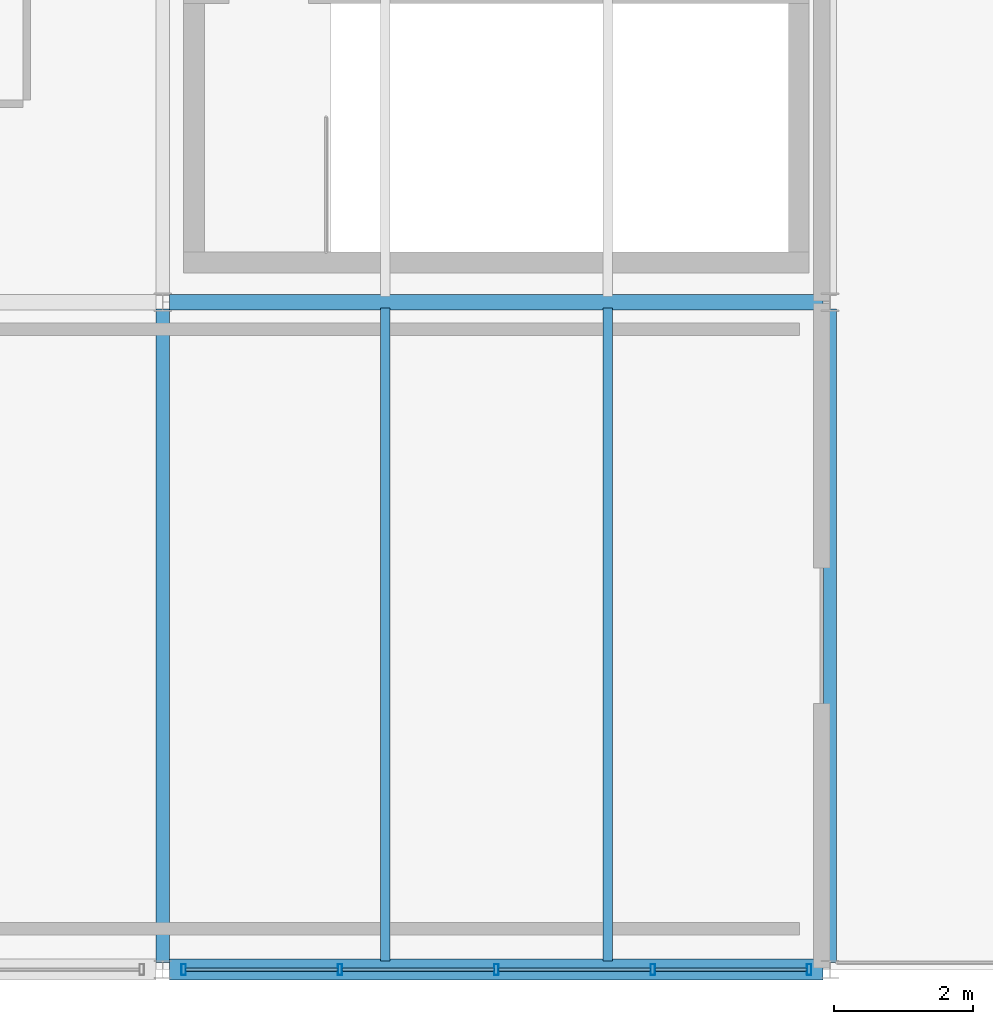
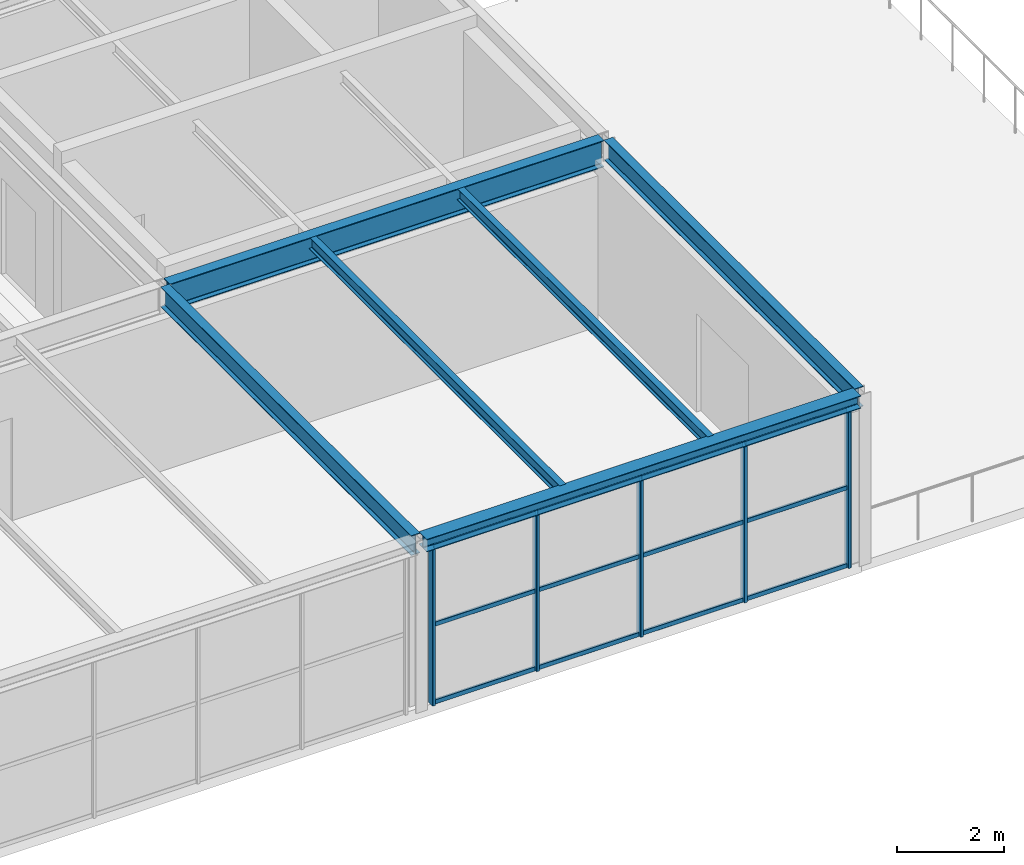
# One storey, part 22 of 33: 17 members, 6 beams, 1 element without a shape of its own.
"""IFC4 building model written with IfcOpenShell, lengths in metres."""

from ifc_helpers import new_model, si_unit, direction, frame, origin, origin_2d, place, context, subcontext, project, spatial, hollow_rectangle, i_section, extrude, material, material_profile, profile_set, type_object, element, aggregate, save


model = new_model("IFC4")

# Units and contexts
model_context = context("Model", 3, precision=1e-05, world=origin(), true_north=direction((0.0, 1.0)))
body_context = subcontext(model_context, "Body", "Model", "MODEL_VIEW")
ifc_project = project(units=[si_unit("LENGTHUNIT", "METRE"), si_unit("AREAUNIT", "SQUARE_METRE"), si_unit("VOLUMEUNIT", "CUBIC_METRE"), si_unit("PLANEANGLEUNIT", "RADIAN"), si_unit("MASSUNIT", "GRAM", prefix="KILO")], contexts=[model_context])

# Site, building, storey
site_placement = place(None, origin())
site = spatial("IfcSite", under=ifc_project, at=site_placement, CompositionType="ELEMENT")
building_placement = place(site_placement, origin())
building = spatial("IfcBuilding", under=site, at=building_placement, Name="Coralgate Yard Interchange", CompositionType="ELEMENT")
storey_placement = place(building_placement, frame((0.0, 0.0, 23.10009765625)))
storey = spatial("IfcBuildingStorey", under=building, at=storey_placement, Name="L05", CompositionType="ELEMENT", Elevation=23.10009765625)

# Beams
ifc_material_1 = material(Name="Structural steel S355J2", Category="steel")
ifc_material_profile_1 = material_profile(ifc_material_1, i_section(OverallWidth=0.1904296875, OverallDepth=0.45703125, WebThickness=0.009033203125, FlangeThickness=0.014404296875, FilletRadius=0.01025390625, at=origin_2d()), Name="UB 457x191x74")
ifc_profile_set_1 = profile_set([ifc_material_profile_1], Name="Structural steel S355J2")
beam_type_1 = type_object("IfcBeamType", Name="BM-SB-2", PredefinedType="BEAM", material=ifc_profile_set_1)
for number, where, z_axis, x_axis, name in (
    (1, (48.0, 0.10009765625, 3.69140625), (0.0, 1.0, 0.0), (-1.0, 0.0, 0.0), "L05 primary grid girder X5 Y0-1"),
    (2, (57.60009765625, 0.10009765625, 3.69140625), (0.0, 1.0, 0.0), (-1.0, 0.0, 0.0), "L05 primary grid girder X6 Y0-1"),
):
    element("IfcBeam", number, at=place(storey_placement, frame(where, z_axis=z_axis, x_axis=x_axis)), inside=storey, type_object=beam_type_1, Name=name, PredefinedType="BEAM", context=body_context, shape_type="SweptSolid", body=[
        extrude(i_section(OverallWidth=0.1904296875, OverallDepth=0.45703125, WebThickness=0.009033203125, FlangeThickness=0.014404296875, FilletRadius=0.01025390625, at=origin_2d()), origin(), (0.0, 0.0, 1.0), 9.39990234375),
    ])
ifc_material_profile_2 = material_profile(ifc_material_1, i_section(OverallWidth=0.228271484375, OverallDepth=0.607666015625, WebThickness=0.010986328125, FlangeThickness=0.017333984375, FilletRadius=0.0126953125, at=origin_2d()), Name="UB 610x229x113")
ifc_profile_set_2 = profile_set([ifc_material_profile_2], Name="Structural steel S355J2")
beam_type_2 = type_object("IfcBeamType", Name="BM-SG-5", PredefinedType="BEAM", material=ifc_profile_set_2)
beam_1_placement = place(storey_placement, frame((48.09814453125, 9.60009765625, 3.6162109375), z_axis=(1.0, 0.0, 0.0), x_axis=(0.0, 1.0, 0.0)))
element("IfcBeam", 3, at=beam_1_placement, inside=storey, type_object=beam_type_2, Name="L05 primary grid beam Y1 X5-6", PredefinedType="BEAM", context=body_context, shape_type="SweptSolid", body=[
    extrude(i_section(OverallWidth=0.228271484375, OverallDepth=0.607666015625, WebThickness=0.010986328125, FlangeThickness=0.017333984375, FilletRadius=0.0126953125, at=origin_2d()), origin(), (0.0, 0.0, 1.0), 9.403564453125),
])
ifc_material_profile_3 = material_profile(ifc_material_1, i_section(OverallWidth=0.135009765625, OverallDepth=0.27001953125, WebThickness=0.006591796875, FlangeThickness=0.01025390625, FilletRadius=0.014892578125, at=origin_2d()), Name="IPE 270")
ifc_profile_set_3 = profile_set([ifc_material_profile_3], Name="Structural steel S355J2")
beam_type_3 = type_object("IfcBeamType", Name="BM-SJ-3", PredefinedType="JOIST", material=ifc_profile_set_3)
for number, where, z_axis, x_axis, name in (
    (4, (51.199951171875, 0.1201171875, 3.784912109375), (0.0, 1.0, 0.0), (-1.0, 0.0, 0.0), "L05 composite floor joist 5-0-1"),
    (5, (54.39990234375, 0.1201171875, 3.784912109375), (0.0, 1.0, 0.0), (-1.0, 0.0, 0.0), "L05 composite floor joist 5-0-2"),
):
    element("IfcBeam", number, at=place(storey_placement, frame(where, z_axis=z_axis, x_axis=x_axis)), inside=storey, type_object=beam_type_3, Name=name, PredefinedType="JOIST", context=body_context, shape_type="SweptSolid", body=[
        extrude(i_section(OverallWidth=0.135009765625, OverallDepth=0.27001953125, WebThickness=0.006591796875, FlangeThickness=0.01025390625, FilletRadius=0.014892578125, at=origin_2d()), origin(), (0.0, 0.0, 1.0), 9.395751953125),
    ])
ifc_material_profile_4 = material_profile(ifc_material_1, i_section(OverallWidth=0.300048828125, OverallDepth=0.2900390625, WebThickness=0.008544921875, FlangeThickness=0.013916015625, FilletRadius=0.027099609375, at=origin_2d()), Name="HEA 300")
ifc_profile_set_4 = profile_set([ifc_material_profile_4], Name="Structural steel S355J2")
beam_type_4 = type_object("IfcBeamType", Name="BM-SP-2", PredefinedType="SPANDREL", material=ifc_profile_set_4)
beam_2_placement = place(storey_placement, frame((48.09814453125, 0.0, 3.77490234375), z_axis=(1.0, 0.0, 0.0), x_axis=(0.0, 1.0, 0.0)))
element("IfcBeam", 6, at=beam_2_placement, inside=storey, type_object=beam_type_4, Name="L05 primary grid beam Y0 X5-6", PredefinedType="SPANDREL", context=body_context, shape_type="SweptSolid", body=[
    extrude(i_section(OverallWidth=0.300048828125, OverallDepth=0.2900390625, WebThickness=0.008544921875, FlangeThickness=0.013916015625, FilletRadius=0.027099609375, at=origin_2d()), origin(), (0.0, 0.0, 1.0), 9.403564453125),
])

# Curtain wall, members
ifc_material_2 = material(Name="Anodised coastal aluminium and solar-control low-E glass", Category="aluminium")
curtain_wall_type = type_object("IfcCurtainWallType", Name="CW-CW-L05-A", PredefinedType="NOTDEFINED", material=ifc_material_2)
curtain_wall_placement = place(storey_placement, origin())
curtain_wall = element("IfcCurtainWall", 7, at=curtain_wall_placement, inside=storey, type_object=curtain_wall_type, Name="L05 unitised curtain wall CW-L05-S-05-00", PredefinedType="NOTDEFINED")
ifc_material_3 = material(Name="Anodised coastal aluminium 6063-T6", Category="aluminium")
ifc_material_profile_5 = material_profile(ifc_material_3, hollow_rectangle(XDim=0.06494140625, YDim=0.159912109375, WallThickness=0.00390625, InnerFilletRadius=0.00390625, OuterFilletRadius=0.008056640625, at=origin_2d()), Name="ALU 65x160x4")
ifc_profile_set_5 = profile_set([ifc_material_profile_5], Name="Anodised coastal aluminium 6063-T6")
member_type_1 = type_object("IfcMemberType", Name="MB-MUL-160", PredefinedType="MULLION", material=ifc_profile_set_5)
member_1_placement = place(storey_placement, frame((57.300048828125, 0.0, 0.0), z_axis=(0.0, 0.0, 1.0), x_axis=(1.0, 0.0, 0.0)))
member_1 = element("IfcMember", 8, at=member_1_placement, type_object=member_type_1, Name="CW-L05-S-05-00 vertical mullion 1", PredefinedType="MULLION", context=body_context, shape_type="SweptSolid", body=[
    extrude(hollow_rectangle(XDim=0.06494140625, YDim=0.159912109375, WallThickness=0.00390625, InnerFilletRadius=0.00390625, OuterFilletRadius=0.008056640625, at=origin_2d()), origin(), (0.0, 0.0, 1.0), 3.6298828125),
])
member_2_placement = place(storey_placement, frame((55.050048828125, 0.0, 0.0), z_axis=(0.0, 0.0, 1.0), x_axis=(1.0, 0.0, 0.0)))
member_2 = element("IfcMember", 9, at=member_2_placement, type_object=member_type_1, Name="CW-L05-S-05-00 vertical mullion 2", PredefinedType="MULLION", context=body_context, shape_type="SweptSolid", body=[
    extrude(hollow_rectangle(XDim=0.06494140625, YDim=0.159912109375, WallThickness=0.00390625, InnerFilletRadius=0.00390625, OuterFilletRadius=0.008056640625, at=origin_2d()), origin(), (0.0, 0.0, 1.0), 3.6298828125),
])
member_3_placement = place(storey_placement, frame((52.800048828125, 0.0, 0.0), z_axis=(0.0, 0.0, 1.0), x_axis=(1.0, 0.0, 0.0)))
member_3 = element("IfcMember", 10, at=member_3_placement, type_object=member_type_1, Name="CW-L05-S-05-00 vertical mullion 3", PredefinedType="MULLION", context=body_context, shape_type="SweptSolid", body=[
    extrude(hollow_rectangle(XDim=0.06494140625, YDim=0.159912109375, WallThickness=0.00390625, InnerFilletRadius=0.00390625, OuterFilletRadius=0.008056640625, at=origin_2d()), origin(), (0.0, 0.0, 1.0), 3.6298828125),
])
member_4_placement = place(storey_placement, frame((50.550048828125, 0.0, 0.0), z_axis=(0.0, 0.0, 1.0), x_axis=(1.0, 0.0, 0.0)))
member_4 = element("IfcMember", 11, at=member_4_placement, type_object=member_type_1, Name="CW-L05-S-05-00 vertical mullion 4", PredefinedType="MULLION", context=body_context, shape_type="SweptSolid", body=[
    extrude(hollow_rectangle(XDim=0.06494140625, YDim=0.159912109375, WallThickness=0.00390625, InnerFilletRadius=0.00390625, OuterFilletRadius=0.008056640625, at=origin_2d()), origin(), (0.0, 0.0, 1.0), 3.6298828125),
])
member_5_placement = place(storey_placement, frame((48.300048828125, 0.0, 0.0), z_axis=(0.0, 0.0, 1.0), x_axis=(1.0, 0.0, 0.0)))
member_5 = element("IfcMember", 12, at=member_5_placement, type_object=member_type_1, Name="CW-L05-S-05-00 vertical mullion 5", PredefinedType="MULLION", context=body_context, shape_type="SweptSolid", body=[
    extrude(hollow_rectangle(XDim=0.06494140625, YDim=0.159912109375, WallThickness=0.00390625, InnerFilletRadius=0.00390625, OuterFilletRadius=0.008056640625, at=origin_2d()), origin(), (0.0, 0.0, 1.0), 3.6298828125),
])
ifc_material_profile_6 = material_profile(ifc_material_3, hollow_rectangle(XDim=0.050048828125, YDim=0.10009765625, WallThickness=0.0029296875, InnerFilletRadius=0.0029296875, OuterFilletRadius=0.006103515625, at=origin_2d()), Name="ALU 50x100x3")
ifc_profile_set_6 = profile_set([ifc_material_profile_6], Name="Anodised coastal aluminium 6063-T6")
member_type_2 = type_object("IfcMemberType", Name="MB-TRN-100", PredefinedType="USERDEFINED", material=ifc_profile_set_6)
member_6_placement = place(storey_placement, frame((57.27001953125, 0.0, 0.034912109375), z_axis=(-1.0, 0.0, 0.0), x_axis=(0.0, -1.0, 0.0)))
member_6 = element("IfcMember", 13, at=member_6_placement, type_object=member_type_2, Name="CW-L05-S-05-00 horizontal transom 1-1", ObjectType="TRANSOM", PredefinedType="USERDEFINED", context=body_context, shape_type="SweptSolid", body=[
    extrude(hollow_rectangle(XDim=0.050048828125, YDim=0.10009765625, WallThickness=0.0029296875, InnerFilletRadius=0.0029296875, OuterFilletRadius=0.006103515625, at=origin_2d()), origin(), (0.0, 0.0, 1.0), 2.18994140625),
])
member_7_placement = place(storey_placement, frame((57.27001953125, 0.0, 1.81494140625), z_axis=(-1.0, 0.0, 0.0), x_axis=(0.0, -1.0, 0.0)))
member_7 = element("IfcMember", 14, at=member_7_placement, type_object=member_type_2, Name="CW-L05-S-05-00 horizontal transom 1-2", ObjectType="TRANSOM", PredefinedType="USERDEFINED", context=body_context, shape_type="SweptSolid", body=[
    extrude(hollow_rectangle(XDim=0.050048828125, YDim=0.10009765625, WallThickness=0.0029296875, InnerFilletRadius=0.0029296875, OuterFilletRadius=0.006103515625, at=origin_2d()), origin(), (0.0, 0.0, 1.0), 2.18994140625),
])
member_8_placement = place(storey_placement, frame((57.27001953125, 0.0, 3.594970703125), z_axis=(-1.0, 0.0, 0.0), x_axis=(0.0, -1.0, 0.0)))
member_8 = element("IfcMember", 15, at=member_8_placement, type_object=member_type_2, Name="CW-L05-S-05-00 horizontal transom 1-3", ObjectType="TRANSOM", PredefinedType="USERDEFINED", context=body_context, shape_type="SweptSolid", body=[
    extrude(hollow_rectangle(XDim=0.050048828125, YDim=0.10009765625, WallThickness=0.0029296875, InnerFilletRadius=0.0029296875, OuterFilletRadius=0.006103515625, at=origin_2d()), origin(), (0.0, 0.0, 1.0), 2.18994140625),
])
member_9_placement = place(storey_placement, frame((55.02001953125, 0.0, 0.034912109375), z_axis=(-1.0, 0.0, 0.0), x_axis=(0.0, -1.0, 0.0)))
member_9 = element("IfcMember", 16, at=member_9_placement, type_object=member_type_2, Name="CW-L05-S-05-00 horizontal transom 2-1", ObjectType="TRANSOM", PredefinedType="USERDEFINED", context=body_context, shape_type="SweptSolid", body=[
    extrude(hollow_rectangle(XDim=0.050048828125, YDim=0.10009765625, WallThickness=0.0029296875, InnerFilletRadius=0.0029296875, OuterFilletRadius=0.006103515625, at=origin_2d()), origin(), (0.0, 0.0, 1.0), 2.18994140625),
])
member_10_placement = place(storey_placement, frame((55.02001953125, 0.0, 1.81494140625), z_axis=(-1.0, 0.0, 0.0), x_axis=(0.0, -1.0, 0.0)))
member_10 = element("IfcMember", 17, at=member_10_placement, type_object=member_type_2, Name="CW-L05-S-05-00 horizontal transom 2-2", ObjectType="TRANSOM", PredefinedType="USERDEFINED", context=body_context, shape_type="SweptSolid", body=[
    extrude(hollow_rectangle(XDim=0.050048828125, YDim=0.10009765625, WallThickness=0.0029296875, InnerFilletRadius=0.0029296875, OuterFilletRadius=0.006103515625, at=origin_2d()), origin(), (0.0, 0.0, 1.0), 2.18994140625),
])
member_11_placement = place(storey_placement, frame((55.02001953125, 0.0, 3.594970703125), z_axis=(-1.0, 0.0, 0.0), x_axis=(0.0, -1.0, 0.0)))
member_11 = element("IfcMember", 18, at=member_11_placement, type_object=member_type_2, Name="CW-L05-S-05-00 horizontal transom 2-3", ObjectType="TRANSOM", PredefinedType="USERDEFINED", context=body_context, shape_type="SweptSolid", body=[
    extrude(hollow_rectangle(XDim=0.050048828125, YDim=0.10009765625, WallThickness=0.0029296875, InnerFilletRadius=0.0029296875, OuterFilletRadius=0.006103515625, at=origin_2d()), origin(), (0.0, 0.0, 1.0), 2.18994140625),
])
member_12_placement = place(storey_placement, frame((52.77001953125, 0.0, 0.034912109375), z_axis=(-1.0, 0.0, 0.0), x_axis=(0.0, -1.0, 0.0)))
member_12 = element("IfcMember", 19, at=member_12_placement, type_object=member_type_2, Name="CW-L05-S-05-00 horizontal transom 3-1", ObjectType="TRANSOM", PredefinedType="USERDEFINED", context=body_context, shape_type="SweptSolid", body=[
    extrude(hollow_rectangle(XDim=0.050048828125, YDim=0.10009765625, WallThickness=0.0029296875, InnerFilletRadius=0.0029296875, OuterFilletRadius=0.006103515625, at=origin_2d()), origin(), (0.0, 0.0, 1.0), 2.18994140625),
])
member_13_placement = place(storey_placement, frame((52.77001953125, 0.0, 1.81494140625), z_axis=(-1.0, 0.0, 0.0), x_axis=(0.0, -1.0, 0.0)))
member_13 = element("IfcMember", 20, at=member_13_placement, type_object=member_type_2, Name="CW-L05-S-05-00 horizontal transom 3-2", ObjectType="TRANSOM", PredefinedType="USERDEFINED", context=body_context, shape_type="SweptSolid", body=[
    extrude(hollow_rectangle(XDim=0.050048828125, YDim=0.10009765625, WallThickness=0.0029296875, InnerFilletRadius=0.0029296875, OuterFilletRadius=0.006103515625, at=origin_2d()), origin(), (0.0, 0.0, 1.0), 2.18994140625),
])
member_14_placement = place(storey_placement, frame((52.77001953125, 0.0, 3.594970703125), z_axis=(-1.0, 0.0, 0.0), x_axis=(0.0, -1.0, 0.0)))
member_14 = element("IfcMember", 21, at=member_14_placement, type_object=member_type_2, Name="CW-L05-S-05-00 horizontal transom 3-3", ObjectType="TRANSOM", PredefinedType="USERDEFINED", context=body_context, shape_type="SweptSolid", body=[
    extrude(hollow_rectangle(XDim=0.050048828125, YDim=0.10009765625, WallThickness=0.0029296875, InnerFilletRadius=0.0029296875, OuterFilletRadius=0.006103515625, at=origin_2d()), origin(), (0.0, 0.0, 1.0), 2.18994140625),
])
member_15_placement = place(storey_placement, frame((50.52001953125, 0.0, 0.034912109375), z_axis=(-1.0, 0.0, 0.0), x_axis=(0.0, -1.0, 0.0)))
member_15 = element("IfcMember", 22, at=member_15_placement, type_object=member_type_2, Name="CW-L05-S-05-00 horizontal transom 4-1", ObjectType="TRANSOM", PredefinedType="USERDEFINED", context=body_context, shape_type="SweptSolid", body=[
    extrude(hollow_rectangle(XDim=0.050048828125, YDim=0.10009765625, WallThickness=0.0029296875, InnerFilletRadius=0.0029296875, OuterFilletRadius=0.006103515625, at=origin_2d()), origin(), (0.0, 0.0, 1.0), 2.18994140625),
])
member_16_placement = place(storey_placement, frame((50.52001953125, 0.0, 1.81494140625), z_axis=(-1.0, 0.0, 0.0), x_axis=(0.0, -1.0, 0.0)))
member_16 = element("IfcMember", 23, at=member_16_placement, type_object=member_type_2, Name="CW-L05-S-05-00 horizontal transom 4-2", ObjectType="TRANSOM", PredefinedType="USERDEFINED", context=body_context, shape_type="SweptSolid", body=[
    extrude(hollow_rectangle(XDim=0.050048828125, YDim=0.10009765625, WallThickness=0.0029296875, InnerFilletRadius=0.0029296875, OuterFilletRadius=0.006103515625, at=origin_2d()), origin(), (0.0, 0.0, 1.0), 2.18994140625),
])
member_17_placement = place(storey_placement, frame((50.52001953125, 0.0, 3.594970703125), z_axis=(-1.0, 0.0, 0.0), x_axis=(0.0, -1.0, 0.0)))
member_17 = element("IfcMember", 24, at=member_17_placement, type_object=member_type_2, Name="CW-L05-S-05-00 horizontal transom 4-3", ObjectType="TRANSOM", PredefinedType="USERDEFINED", context=body_context, shape_type="SweptSolid", body=[
    extrude(hollow_rectangle(XDim=0.050048828125, YDim=0.10009765625, WallThickness=0.0029296875, InnerFilletRadius=0.0029296875, OuterFilletRadius=0.006103515625, at=origin_2d()), origin(), (0.0, 0.0, 1.0), 2.18994140625),
])
aggregate(curtain_wall, [member_1, member_2, member_3, member_4, member_5, member_6, member_7, member_8, member_9, member_10, member_11, member_12, member_13, member_14, member_15, member_16, member_17])

save(model, "model.ifc")
